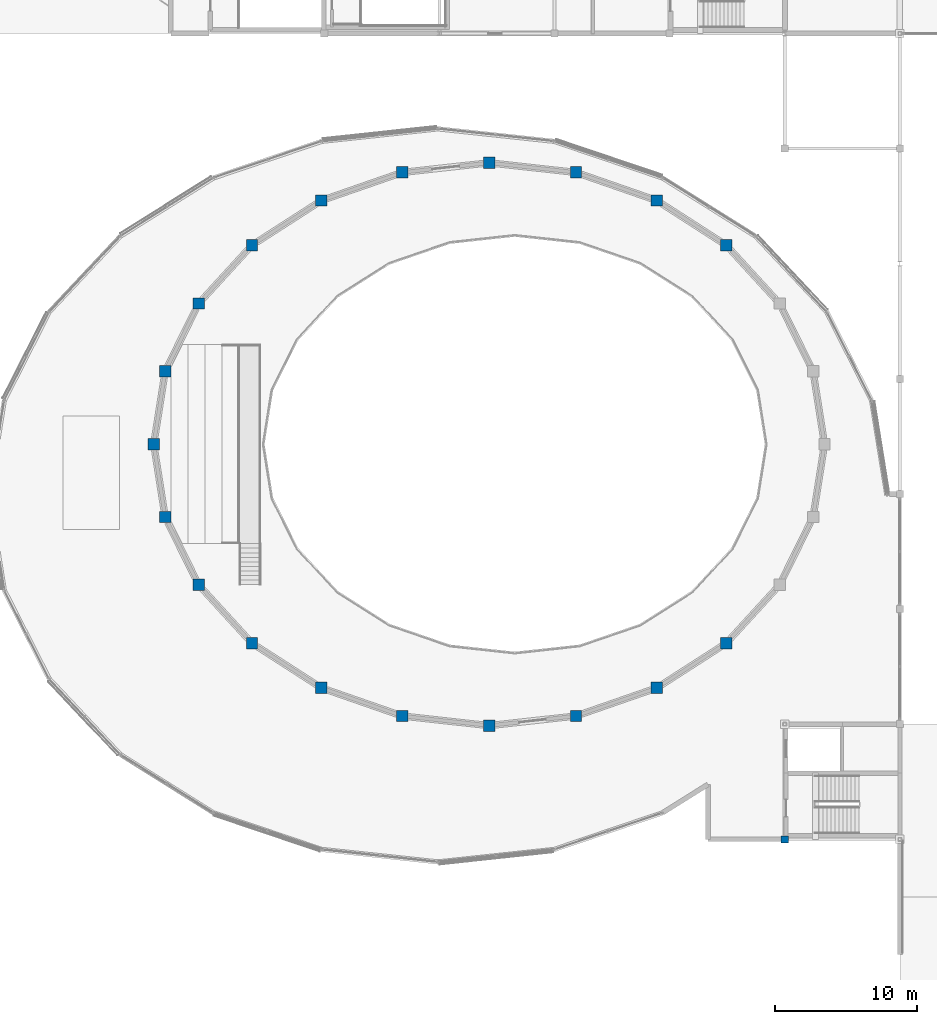
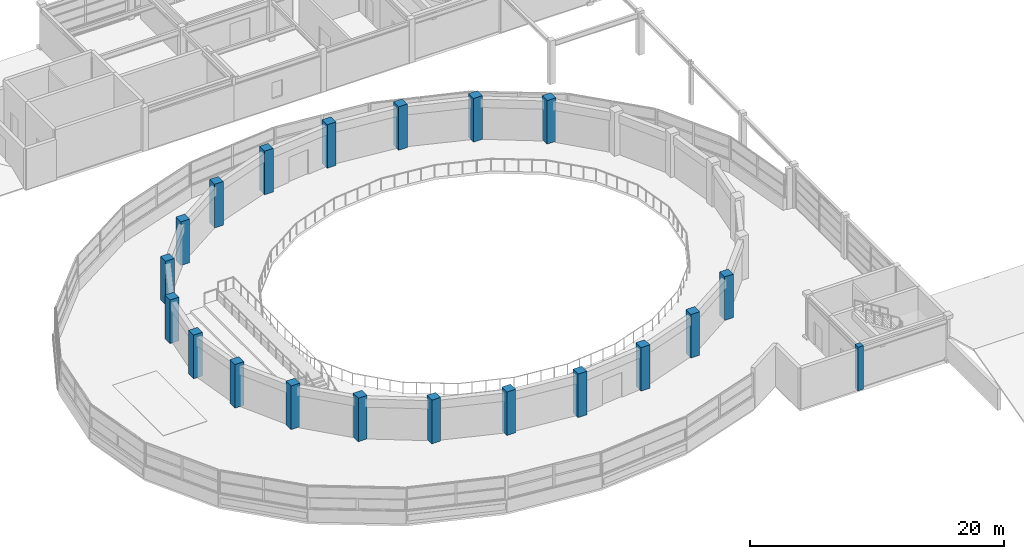
# One storey, part 1 of 54: 20 columns.
"""IFC4 building model written with IfcOpenShell, lengths in metres."""

from ifc_helpers import new_model, si_unit, direction, frame, origin, origin_2d, place, context, subcontext, project, spatial, rectangle, extrude, material, material_profile, profile_set, type_object, element, save


model = new_model("IFC4")

# Units and contexts
model_context = context("Model", 3, precision=1e-05, world=origin(), true_north=direction((0.0, 1.0)))
body_context = subcontext(model_context, "Body", "Model", "MODEL_VIEW")
ifc_project = project(units=[si_unit("LENGTHUNIT", "METRE"), si_unit("AREAUNIT", "SQUARE_METRE"), si_unit("VOLUMEUNIT", "CUBIC_METRE"), si_unit("PLANEANGLEUNIT", "RADIAN"), si_unit("MASSUNIT", "GRAM", prefix="KILO")], contexts=[model_context])

# Site, building, storey
site_placement = place(None, origin())
site = spatial("IfcSite", under=ifc_project, at=site_placement, CompositionType="ELEMENT")
building_placement = place(site_placement, origin())
building = spatial("IfcBuilding", under=site, at=building_placement, Name="Parian Resonance Hall", CompositionType="ELEMENT")
storey_placement = place(building_placement, frame((0.0, 0.0, 15.0)))
storey = spatial("IfcBuildingStorey", under=building, at=storey_placement, Name="L03", CompositionType="ELEMENT", Elevation=15.0)

# Columns
ifc_material_1 = material(Name="Concrete C40/50", Category="concrete")
ifc_material_profile_1 = material_profile(ifc_material_1, rectangle(XDim=0.5, YDim=0.5, at=origin_2d()), Name="RC-COL-500x500")
ifc_profile_set_1 = profile_set([ifc_material_profile_1], Name="Concrete C40/50")
column_type_1 = type_object("IfcColumnType", Name="COL-RC500", PredefinedType="COLUMN", material=ifc_profile_set_1)
column_placement = place(storey_placement, frame((64.800048828125, 16.199951171875, 0.0), z_axis=(0.0, 0.0, 1.0), x_axis=(1.0, 0.0, 0.0)))
element("IfcColumn", 1, at=column_placement, inside=storey, type_object=column_type_1, Name="Column G09-03 L03", PredefinedType="COLUMN", context=body_context, shape_type="SweptSolid", body=[
    extrude(rectangle(XDim=0.5, YDim=0.5, at=origin_2d()), origin(), (0.0, 0.0, 1.0), 4.199951171875),
])
ifc_material_2 = material(Name="Concrete C40/50", Category="concrete")
ifc_material_profile_2 = material_profile(ifc_material_2, rectangle(XDim=0.800048828125, YDim=0.800048828125, at=origin_2d()), Name="RC-COL-800x800")
ifc_profile_set_2 = profile_set([ifc_material_profile_2], Name="Concrete C40/50")
column_type_2 = type_object("IfcColumnType", Name="COL-RC800", PredefinedType="COLUMN", material=ifc_profile_set_2)
for number, where, z_axis, x_axis, name in (
    (2, (60.687744140625, 58.000732421875, 0.0), (0.0, 0.0, 1.0), (1.0, 0.0, 0.0), "Column DRM-04 L03"),
    (3, (55.800048828125, 61.147216796875, 0.0), (0.0, 0.0, 1.0), (1.0, 0.0, 0.0), "Column DRM-05 L03"),
    (4, (50.108154296875, 63.125244140625, 0.0), (0.0, 0.0, 1.0), (1.0, 0.0, 0.0), "Column DRM-06 L03"),
    (5, (44.0, 63.800048828125, 0.0), (0.0, 0.0, 1.0), (1.0, 0.0, 0.0), "Column DRM-07 L03"),
    (6, (37.891845703125, 63.125244140625, 0.0), (0.0, 0.0, 1.0), (1.0, 0.0, 0.0), "Column DRM-08 L03"),
    (7, (32.199951171875, 61.147216796875, 0.0), (0.0, 0.0, 1.0), (1.0, 0.0, 0.0), "Column DRM-09 L03"),
    (8, (27.312255859375, 58.000732421875, 0.0), (0.0, 0.0, 1.0), (1.0, 0.0, 0.0), "Column DRM-10 L03"),
    (9, (23.561767578125, 53.89990234375, 0.0), (0.0, 0.0, 1.0), (1.0, 0.0, 0.0), "Column DRM-11 L03"),
    (10, (21.2041015625, 49.12451171875, 0.0), (0.0, 0.0, 1.0), (1.0, 0.0, 0.0), "Column DRM-12 L03"),
    (11, (20.39990234375, 44.0, 0.0), (0.0, 0.0, 1.0), (1.0, 0.0, 0.0), "Column DRM-13 L03"),
    (12, (21.2041015625, 38.87548828125, 0.0), (0.0, 0.0, 1.0), (1.0, 0.0, 0.0), "Column DRM-14 L03"),
    (13, (23.561767578125, 34.10009765625, 0.0), (0.0, 0.0, 1.0), (1.0, 0.0, 0.0), "Column DRM-15 L03"),
    (14, (27.312255859375, 29.999267578125, 0.0), (0.0, 0.0, 1.0), (1.0, 0.0, 0.0), "Column DRM-16 L03"),
    (15, (32.199951171875, 26.852783203125, 0.0), (0.0, 0.0, 1.0), (1.0, 0.0, 0.0), "Column DRM-17 L03"),
    (16, (37.891845703125, 24.874755859375, 0.0), (0.0, 0.0, 1.0), (1.0, 0.0, 0.0), "Column DRM-18 L03"),
    (17, (44.0, 24.199951171875, 0.0), (0.0, 0.0, 1.0), (1.0, 0.0, 0.0), "Column DRM-19 L03"),
    (18, (50.108154296875, 24.874755859375, 0.0), (0.0, 0.0, 1.0), (1.0, 0.0, 0.0), "Column DRM-20 L03"),
    (19, (55.800048828125, 26.852783203125, 0.0), (0.0, 0.0, 1.0), (1.0, 0.0, 0.0), "Column DRM-21 L03"),
    (20, (60.687744140625, 29.999267578125, 0.0), (0.0, 0.0, 1.0), (1.0, 0.0, 0.0), "Column DRM-22 L03"),
):
    element("IfcColumn", number, at=place(storey_placement, frame(where, z_axis=z_axis, x_axis=x_axis)), inside=storey, type_object=column_type_2, Name=name, PredefinedType="COLUMN", context=body_context, shape_type="SweptSolid", body=[
        extrude(rectangle(XDim=0.800048828125, YDim=0.800048828125, at=origin_2d()), origin(), (0.0, 0.0, 1.0), 4.199951171875),
    ])

save(model, "model.ifc")
